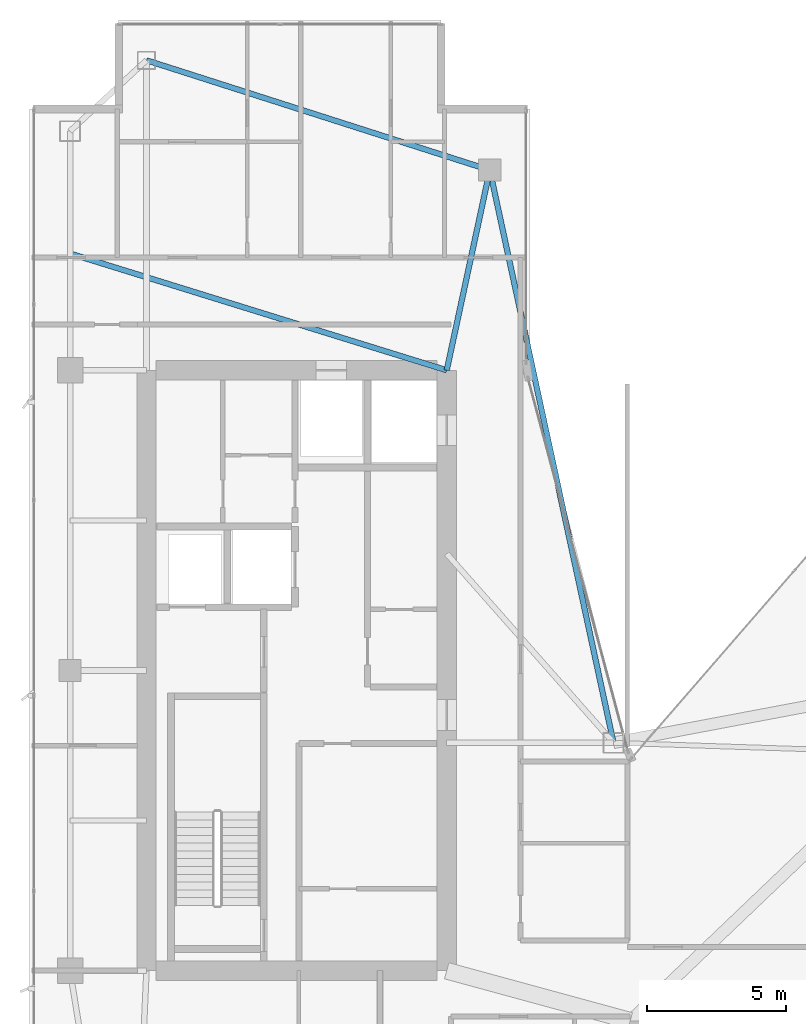
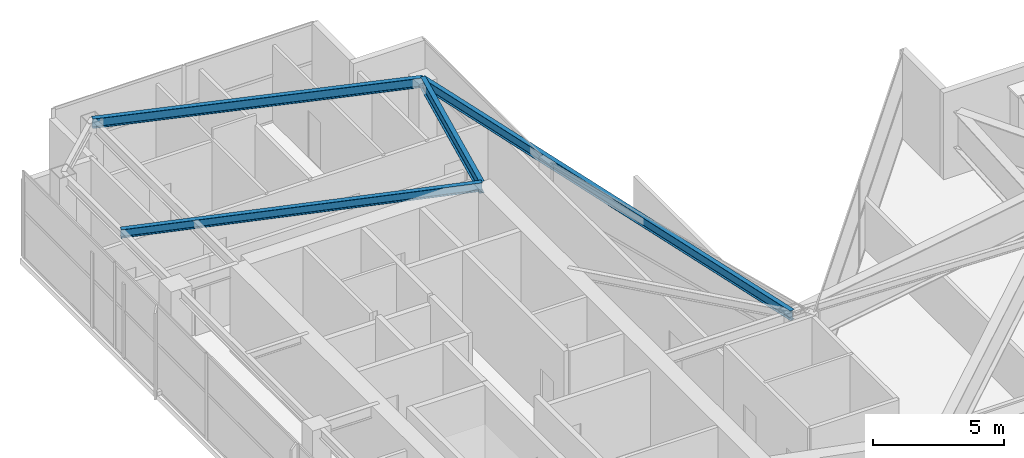
# One storey, part 18 of 29: 4 beams.
"""IFC4 building model written with IfcOpenShell, lengths in metres."""

from ifc_helpers import new_model, si_unit, direction, frame, origin, origin_2d, place, context, subcontext, project, spatial, i_section, extrude, material, material_profile, profile_set, type_object, element, save


model = new_model("IFC4")

# Units and contexts
model_context = context("Model", 3, precision=1e-05, world=origin(), true_north=direction((0.0, 1.0)))
body_context = subcontext(model_context, "Body", "Model", "MODEL_VIEW")
ifc_project = project(units=[si_unit("LENGTHUNIT", "METRE"), si_unit("AREAUNIT", "SQUARE_METRE"), si_unit("VOLUMEUNIT", "CUBIC_METRE"), si_unit("PLANEANGLEUNIT", "RADIAN"), si_unit("MASSUNIT", "GRAM", prefix="KILO")], contexts=[model_context])

# Site, building, storey
site_placement = place(None, origin())
site = spatial("IfcSite", under=ifc_project, at=site_placement, CompositionType="ELEMENT")
building_placement = place(site_placement, origin())
building = spatial("IfcBuilding", under=site, at=building_placement, Name="Calvorn Quay Hotel", CompositionType="ELEMENT")
storey_placement = place(building_placement, frame((0.0, 0.0, 259.0)))
storey = spatial("IfcBuildingStorey", under=building, at=storey_placement, Name="L64", CompositionType="ELEMENT", Elevation=259.0)

# Beams
ifc_material_1 = material(Name="Steel Q355B", Category="steel")
ifc_material_profile_1 = material_profile(ifc_material_1, i_section(OverallWidth=0.199951171875, OverallDepth=0.550048828125, WebThickness=0.010009765625, FlangeThickness=0.01611328125, FilletRadius=0.01806640625, at=origin_2d()), Name="HN550x200x10x16")
ifc_profile_set_1 = profile_set([ifc_material_profile_1], Name="Steel Q355B")
beam_type_1 = type_object("IfcBeamType", Name="BM-GIRD-UPP", PredefinedType="BEAM", material=ifc_profile_set_1)
beam_1_placement = place(storey_placement, frame((16.550048828125, 45.60009765625, 3.77490234375), z_axis=(-0.210457140491, -0.97760308511, 0.0), x_axis=(0.97760308511, -0.210457140491, 0.0)))
element("IfcBeam", 1, at=beam_1_placement, inside=storey, type_object=beam_type_1, Name="Beam BG-L64-W6", PredefinedType="BEAM", context=body_context, shape_type="SweptSolid", body=[
    extrude(i_section(OverallWidth=0.199951171875, OverallDepth=0.550048828125, WebThickness=0.010009765625, FlangeThickness=0.01611328125, FilletRadius=0.01806640625, at=origin_2d()), origin(), (0.0, 0.0, 1.0), 7.365234375),
])
ifc_material_2 = material(Name="Steel Q355B", Category="steel")
ifc_material_profile_2 = material_profile(ifc_material_2, i_section(OverallWidth=0.199951171875, OverallDepth=0.39990234375, WebThickness=0.008056640625, FlangeThickness=0.012939453125, FilletRadius=0.01611328125, at=origin_2d()), Name="HN400x200x8x13")
ifc_profile_set_2 = profile_set([ifc_material_profile_2], Name="Steel Q355B")
beam_type_2 = type_object("IfcBeamType", Name="BM-JOIST-TYP", PredefinedType="JOIST", material=ifc_profile_set_2)
beam_2_placement = place(storey_placement, frame((1.449951171875, 42.60009765625, 3.85009765625), z_axis=(0.955163702122, -0.296078202759, 0.0), x_axis=(0.296078202759, 0.955163702122, 0.0)))
element("IfcBeam", 2, at=beam_2_placement, inside=storey, type_object=beam_type_2, Name="Beam BJ-L64-W2", PredefinedType="JOIST", context=body_context, shape_type="SweptSolid", body=[
    extrude(i_section(OverallWidth=0.199951171875, OverallDepth=0.39990234375, WebThickness=0.008056640625, FlangeThickness=0.012939453125, FilletRadius=0.01611328125, at=origin_2d()), origin(), (0.0, 0.0, 1.0), 14.18603515625),
])
ifc_material_3 = material(Name="Steel Q355B", Category="steel")
ifc_material_profile_3 = material_profile(ifc_material_3, i_section(OverallWidth=0.199951171875, OverallDepth=0.449951171875, WebThickness=0.009033203125, FlangeThickness=0.013916015625, FilletRadius=0.01611328125, at=origin_2d()), Name="HN450x200x9x14")
ifc_profile_set_3 = profile_set([ifc_material_profile_3], Name="Steel Q355B")
beam_type_3 = type_object("IfcBeamType", Name="BM-SPANDREL-Z3", PredefinedType="SPANDREL", material=ifc_profile_set_3)
beam_3_placement = place(storey_placement, frame((4.199951171875, 49.550048828125, 3.824951171875), z_axis=(0.952470702374, -0.304630203885, 0.0), x_axis=(0.304630203885, 0.952470702374, 0.0)))
element("IfcBeam", 3, at=beam_3_placement, inside=storey, type_object=beam_type_3, Name="Beam BSP-L64-W6", PredefinedType="SPANDREL", context=body_context, shape_type="SweptSolid", body=[
    extrude(i_section(OverallWidth=0.199951171875, OverallDepth=0.449951171875, WebThickness=0.009033203125, FlangeThickness=0.013916015625, FilletRadius=0.01611328125, at=origin_2d()), origin(), (0.0, 0.0, 1.0), 12.96630859375),
])
beam_4_placement = place(storey_placement, frame((16.550048828125, 45.60009765625, 3.824951171875), z_axis=(0.211145848376, -0.977454567084, 0.0), x_axis=(0.977454567084, 0.211145848376, 0.0)))
element("IfcBeam", 4, at=beam_4_placement, inside=storey, type_object=beam_type_3, Name="Beam BSP-L64-W7", PredefinedType="SPANDREL", context=body_context, shape_type="SweptSolid", body=[
    extrude(i_section(OverallWidth=0.199951171875, OverallDepth=0.449951171875, WebThickness=0.009033203125, FlangeThickness=0.013916015625, FilletRadius=0.01611328125, at=origin_2d()), origin(), (0.0, 0.0, 1.0), 21.0751953125),
])

save(model, "model.ifc")
